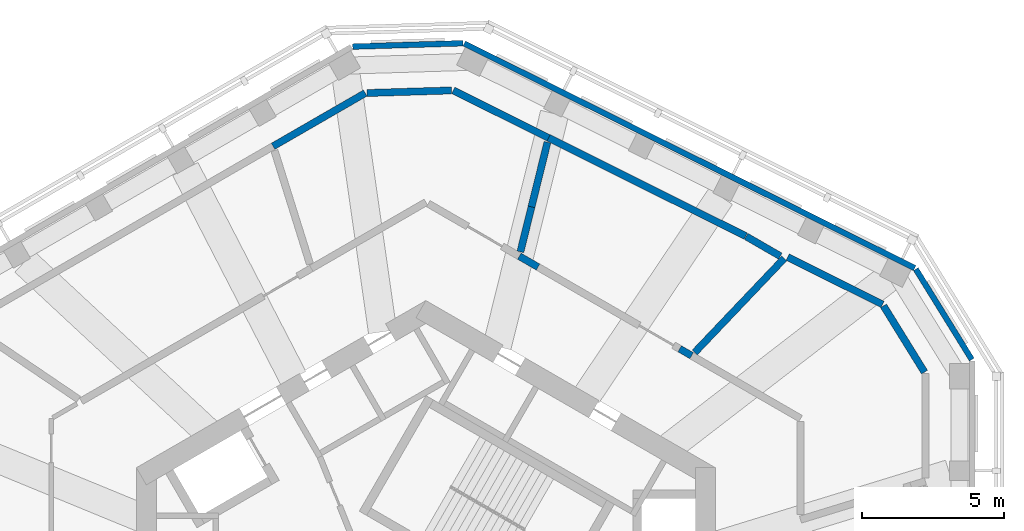
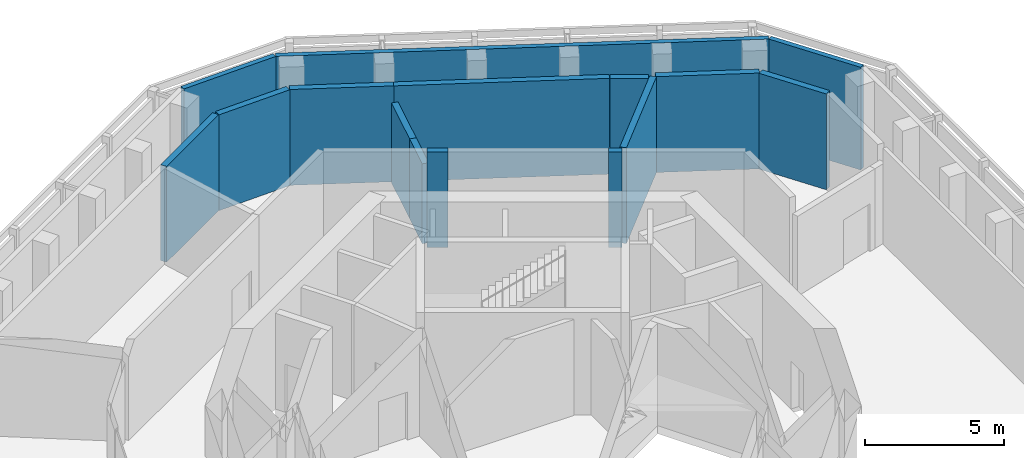
# One storey, part 6 of 9: 15 walls.
"""IFC4 building model written with IfcOpenShell, lengths in metres."""

from ifc_helpers import new_model, si_unit, direction, frame, frame_2d, origin, place, context, subcontext, project, spatial, rectangle, extrude, material, layer, layer_set, type_object, element, save


model = new_model("IFC4")

# Units and contexts
model_context = context("Model", 3, precision=1e-05, world=origin(), true_north=direction((0.0, 1.0)))
body_context = subcontext(model_context, "Body", "Model", "MODEL_VIEW")
ifc_project = project(units=[si_unit("LENGTHUNIT", "METRE"), si_unit("AREAUNIT", "SQUARE_METRE"), si_unit("VOLUMEUNIT", "CUBIC_METRE"), si_unit("PLANEANGLEUNIT", "RADIAN"), si_unit("MASSUNIT", "GRAM", prefix="KILO")], contexts=[model_context])

# Site, building, storey
site_placement = place(None, origin())
site = spatial("IfcSite", under=ifc_project, at=site_placement, CompositionType="ELEMENT")
building_placement = place(site_placement, origin())
building = spatial("IfcBuilding", under=site, at=building_placement, Name="Vanh Sen Convention Tower", CompositionType="ELEMENT")
storey_placement = place(building_placement, frame((0.0, 0.0, 300.5)))
storey = spatial("IfcBuildingStorey", under=building, at=storey_placement, Name="L74", CompositionType="ELEMENT", Elevation=300.5)

# Walls
ifc_material_1 = material(Name="Concrete C40/50", Category="concrete")
ifc_layer_1 = layer(ifc_material_1, 0.25)
ifc_layer_set_1 = layer_set([ifc_layer_1], Name="Concrete C40/50")
wall_type_1 = type_object("IfcWallType", Name="Concrete wall 250 EI 180", PredefinedType="SOLIDWALL", material=ifc_layer_set_1)
wall_1_placement = place(storey_placement, frame((8.94287109375, 10.078857421875, 0.0), z_axis=(0.0, 0.0, 1.0), x_axis=(0.865976326759, -0.500084994269, 0.0)))
element("IfcWall", 1, at=wall_1_placement, inside=storey, type_object=wall_type_1, Name="Fire-resisting wall L74-035", PredefinedType="SOLIDWALL", context=body_context, shape_type="SweptSolid", body=[
    extrude(rectangle(XDim=0.48583984375, YDim=0.25, at=frame_2d((0.242919921875, 0.0))), origin(), (0.0, 0.0, 1.0), 4.199951171875),
])
wall_2_placement = place(storey_placement, frame((16.1240234375, 11.592041015625, 0.0), z_axis=(0.0, 0.0, 1.0), x_axis=(0.526140278791, -0.850397793408, 0.0)))
element("IfcWall", 2, at=wall_2_placement, inside=storey, type_object=wall_type_1, Name="Fire-resisting wall L74-038", PredefinedType="SOLIDWALL", context=body_context, shape_type="SweptSolid", body=[
    extrude(rectangle(XDim=2.7451171875, YDim=0.25, at=frame_2d((1.37255859375, 0.0))), origin(), (0.0, 0.0, 1.0), 4.199951171875),
])
wall_3_placement = place(storey_placement, frame((3.952392578125, 12.9599609375, 0.0), z_axis=(0.0, 0.0, 1.0), x_axis=(-0.865966824893, 0.500101447894, 0.0)))
element("IfcWall", 3, at=wall_3_placement, inside=storey, type_object=wall_type_1, Name="Fire-resisting wall L74-040", PredefinedType="SOLIDWALL", context=body_context, shape_type="SweptSolid", body=[
    extrude(rectangle(XDim=0.761962890625, YDim=0.25, at=frame_2d((0.380859375, 0.0))), origin(), (0.0, 0.0, 1.0), 4.199951171875),
])
wall_4_placement = place(storey_placement, frame((12.62646484375, 13.263916015625, 0.0), z_axis=(0.0, 0.0, 1.0), x_axis=(-0.689459162518, -0.724324556549, 0.0)))
element("IfcWall", 4, at=wall_4_placement, inside=storey, type_object=wall_type_1, Name="Fire-resisting wall L74-042", PredefinedType="SOLIDWALL", context=body_context, shape_type="SweptSolid", body=[
    extrude(rectangle(XDim=4.572509765625, YDim=0.25, at=frame_2d((2.2861328125, 0.0))), origin(), (0.0, 0.0, 1.0), 4.199951171875),
])
wall_5_placement = place(storey_placement, frame((12.749267578125, 13.309814453125, 0.0), z_axis=(0.0, 0.0, 1.0), x_axis=(0.894949406944, -0.446167635549, 0.0)))
element("IfcWall", 5, at=wall_5_placement, inside=storey, type_object=wall_type_1, Name="Fire-resisting wall L74-043", PredefinedType="SOLIDWALL", context=body_context, shape_type="SweptSolid", body=[
    extrude(rectangle(XDim=3.735595703125, YDim=0.25, at=frame_2d((1.86767578125, 0.0))), origin(), (0.0, 0.0, 1.0), 4.199951171875),
])
wall_6_placement = place(storey_placement, frame((3.330810546875, 13.496337890625, 0.0), z_axis=(0.0, 0.0, 1.0), x_axis=(0.239540217135, 0.970886442575, 0.0)))
element("IfcWall", 6, at=wall_6_placement, inside=storey, type_object=wall_type_1, Name="Fire-resisting wall L74-045", PredefinedType="SOLIDWALL", context=body_context, shape_type="SweptSolid", body=[
    extrude(rectangle(XDim=1.630615234375, YDim=0.25, at=frame_2d((0.8154296875, 0.0))), origin(), (0.0, 0.0, 1.0), 3.5),
])
wall_7_placement = place(storey_placement, frame((11.283935546875, 14.0390625, 0.0), z_axis=(0.0, 0.0, 1.0), x_axis=(0.866062775822, -0.499935264145, 0.0)))
element("IfcWall", 7, at=wall_7_placement, inside=storey, type_object=wall_type_1, Name="Fire-resisting wall L74-046", PredefinedType="SOLIDWALL", context=body_context, shape_type="SweptSolid", body=[
    extrude(rectangle(XDim=1.390380859375, YDim=0.25, at=frame_2d((0.6953125, 0.0))), origin(), (0.0, 0.0, 1.0), 4.199951171875),
])
wall_8_placement = place(storey_placement, frame((3.721435546875, 15.07958984375, 0.0), z_axis=(0.0, 0.0, 1.0), x_axis=(0.23957025728, 0.970879030481, 0.0)))
element("IfcWall", 8, at=wall_8_placement, inside=storey, type_object=wall_type_1, Name="Fire-resisting wall L74-047", PredefinedType="SOLIDWALL", context=body_context, shape_type="SweptSolid", body=[
    extrude(rectangle(XDim=2.344970703125, YDim=0.25, at=frame_2d((1.17236328125, 0.0))), origin(), (0.0, 0.0, 1.0), 3.5),
])
wall_9_placement = place(storey_placement, frame((-5.382568359375, 17.215087890625, 0.0), z_axis=(0.0, 0.0, 1.0), x_axis=(0.866038072327, 0.499978056798, 0.0)))
element("IfcWall", 9, at=wall_9_placement, inside=storey, type_object=wall_type_1, Name="Fire-resisting wall L74-049", PredefinedType="SOLIDWALL", context=body_context, shape_type="SweptSolid", body=[
    extrude(rectangle(XDim=3.748291015625, YDim=0.25, at=frame_2d((1.8740234375, 0.0))), origin(), (0.0, 0.0, 1.0), 4.199951171875),
])
wall_10_placement = place(storey_placement, frame((4.321533203125, 17.511474609375, 0.0), z_axis=(0.0, 0.0, 1.0), x_axis=(0.894948820766, -0.446168811337, 0.0)))
element("IfcWall", 10, at=wall_10_placement, inside=storey, type_object=wall_type_1, Name="Fire-resisting wall L74-050", PredefinedType="SOLIDWALL", context=body_context, shape_type="SweptSolid", body=[
    extrude(rectangle(XDim=7.76025390625, YDim=0.25, at=frame_2d((3.880126953125, 0.0))), origin(), (0.0, 0.0, 1.0), 4.199951171875),
])
wall_11_placement = place(storey_placement, frame((-2.076416015625, 19.0908203125, 0.0), z_axis=(0.0, 0.0, 1.0), x_axis=(0.999532131531, 0.030586239338, 0.0)))
element("IfcWall", 11, at=wall_11_placement, inside=storey, type_object=wall_type_1, Name="Fire-resisting wall L74-051", PredefinedType="SOLIDWALL", context=body_context, shape_type="SweptSolid", body=[
    extrude(rectangle(XDim=2.9853515625, YDim=0.25, at=frame_2d((1.49267578125, 0.0))), origin(), (0.0, 0.0, 1.0), 4.199951171875),
])
wall_12_placement = place(storey_placement, frame((0.967529296875, 19.18408203125, 0.0), z_axis=(0.0, 0.0, 1.0), x_axis=(0.894895708384, -0.446275331063, 0.0)))
element("IfcWall", 12, at=wall_12_placement, inside=storey, type_object=wall_type_1, Name="Fire-resisting wall L74-052", PredefinedType="SOLIDWALL", context=body_context, shape_type="SweptSolid", body=[
    extrude(rectangle(XDim=3.748046875, YDim=0.25, at=frame_2d((1.8740234375, 0.0))), origin(), (0.0, 0.0, 1.0), 4.199951171875),
])
ifc_material_2 = material(Name="Insulated lightweight infill wall")
ifc_layer_2 = layer(ifc_material_2, 0.199951171875)
ifc_layer_set_2 = layer_set([ifc_layer_2], Name="Insulated lightweight infill wall")
wall_type_2 = type_object("IfcWallType", Name="External wall 200", PredefinedType="STANDARD", material=ifc_layer_set_2)
wall_13_placement = place(storey_placement, frame((19.235107421875, 9.699951171875, 0.0), z_axis=(0.0, 0.0, 1.0), x_axis=(-0.526233475464, 0.850340125656, 0.0)))
element("IfcWall", 13, at=wall_13_placement, inside=storey, type_object=wall_type_2, Name="External wall CH1 L74", PredefinedType="STANDARD", context=body_context, shape_type="SweptSolid", body=[
    extrude(rectangle(XDim=3.746826171875, YDim=0.199951171875, at=frame_2d((1.87353515625, 0.0))), origin(), (0.0, 0.0, 1.0), 4.5),
])
wall_14_placement = place(storey_placement, frame((17.222900390625, 12.9228515625, 0.0), z_axis=(0.0, 0.0, 1.0), x_axis=(-0.894930561148, 0.44620543556, 0.0)))
element("IfcWall", 14, at=wall_14_placement, inside=storey, type_object=wall_type_2, Name="External wall NE L74", PredefinedType="STANDARD", context=body_context, shape_type="SweptSolid", body=[
    extrude(rectangle(XDim=17.7314453125, YDim=0.199951171875, at=frame_2d((8.86572265625, 0.0))), origin(), (0.0, 0.0, 1.0), 4.5),
])
wall_15_placement = place(storey_placement, frame((1.306884765625, 20.84521484375, 0.0), z_axis=(0.0, 0.0, 1.0), x_axis=(-0.999533654813, -0.030536419175, 0.0)))
element("IfcWall", 15, at=wall_15_placement, inside=storey, type_object=wall_type_2, Name="External wall CH2 L74", PredefinedType="STANDARD", context=body_context, shape_type="SweptSolid", body=[
    extrude(rectangle(XDim=3.885498046875, YDim=0.199951171875, at=frame_2d((1.94287109375, 0.0))), origin(), (0.0, 0.0, 1.0), 4.5),
])

save(model, "model.ifc")
